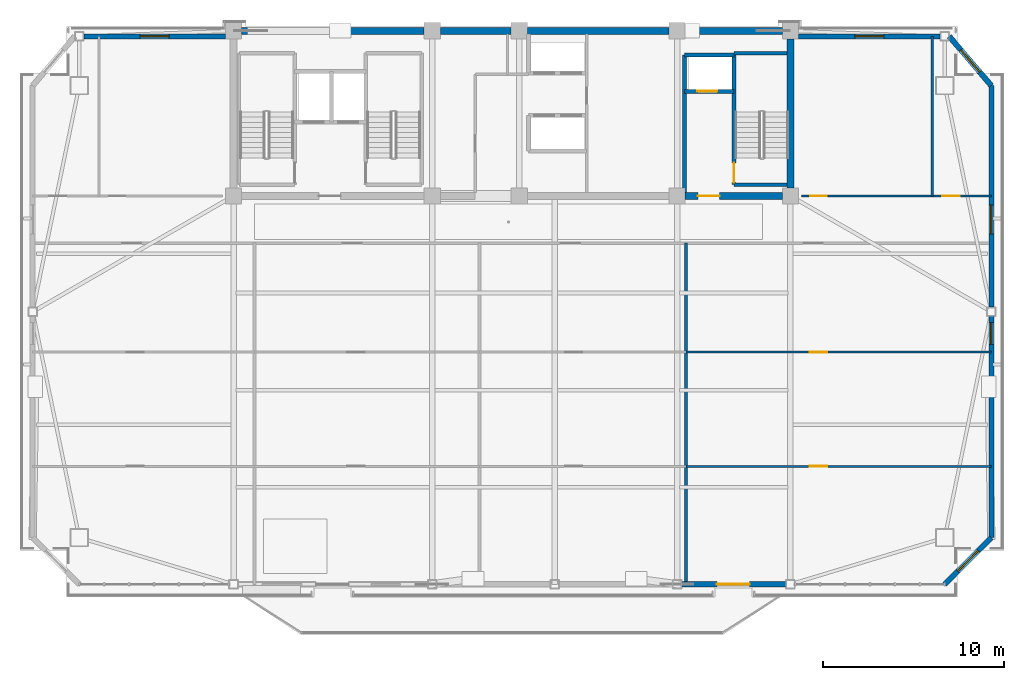
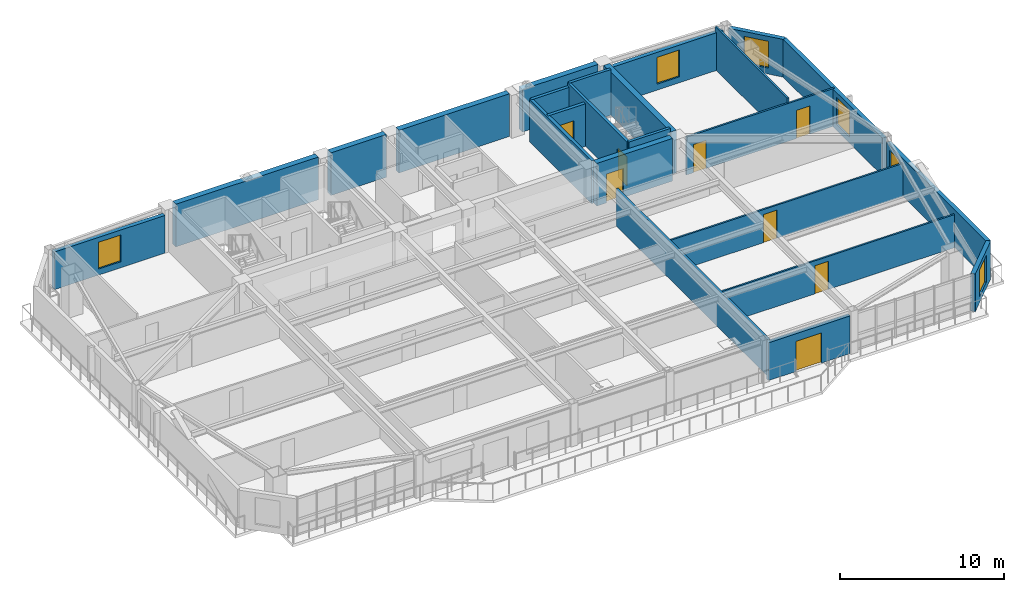
# One storey, part 10 of 18: 24 walls, 8 doors, 6 windows, 14 openings.
"""IFC4 building model written with IfcOpenShell, lengths in metres."""

from ifc_helpers import new_model, si_unit, direction, frame, frame_2d, origin, place, context, subcontext, project, spatial, rectangle, extrude, source, transform, mapped, material, layer, layer_set, type_object, element, fill, save


model = new_model("IFC4")

# Units and contexts
model_context = context("Model", 3, precision=1e-05, world=origin(), true_north=direction((0.0, 1.0)))
body_context = subcontext(model_context, "Body", "Model", "MODEL_VIEW")
ifc_project = project(units=[si_unit("LENGTHUNIT", "METRE"), si_unit("AREAUNIT", "SQUARE_METRE"), si_unit("VOLUMEUNIT", "CUBIC_METRE"), si_unit("PLANEANGLEUNIT", "RADIAN"), si_unit("MASSUNIT", "GRAM", prefix="KILO")], contexts=[model_context])

# Site, building, storey
site_placement = place(None, origin())
site = spatial("IfcSite", under=ifc_project, at=site_placement, CompositionType="ELEMENT")
building_placement = place(site_placement, origin())
building = spatial("IfcBuilding", under=site, at=building_placement, Name="Giltprow Tower", CompositionType="ELEMENT")
storey_placement = place(building_placement, frame((0.0, 0.0, 258.699951171875)))
storey = spatial("IfcBuildingStorey", under=building, at=storey_placement, Name="L66", CompositionType="ELEMENT", Elevation=258.699951171875)

# Wall, opening, window
ifc_material_1 = material(Name="Precast concrete C40", Category="concrete")
ifc_layer_1 = layer(ifc_material_1, 0.300048828125, Name="Precast concrete C40")
ifc_layer_set_1 = layer_set([ifc_layer_1], Name="Precast concrete C40")
wall_type_1 = type_object("IfcWallType", Name="EW-NOTCH-CHAMFER-300", PredefinedType="SOLIDWALL", material=ifc_layer_set_1)
wall_1_placement = place(storey_placement, frame((59.052978515625, 16.044921875, 0.0), z_axis=(0.0, 0.0, 1.0), x_axis=(0.707106781187, 0.707106781187, 0.0)))
wall_1 = element("IfcWall", 1, at=wall_1_placement, inside=storey, type_object=wall_type_1, Name="L66 Corner Notch Wall SE", PredefinedType="SOLIDWALL", context=body_context, shape_type="SweptSolid", body=[
    extrude(rectangle(XDim=3.63330078125, YDim=0.300048828125, at=frame_2d((1.816650390625, 0.0))), origin(), (0.0, 0.0, 1.0), 2.81494140625),
])
opening_1_placement = place(wall_1_placement, frame((1.01708984375, 0.0, 0.449951171875)))
opening_1 = element("IfcOpeningElement", 2, at=opening_1_placement, cuts=wall_1, Name="Opening WN17", PredefinedType="OPENING", context=body_context, shape_type="SweptSolid", body=[
    extrude(rectangle(XDim=1.60009765625, YDim=2.0, at=frame_2d((0.800048828125, 1.0))), frame((0.0, 0.159912109375, 0.0), z_axis=(0.0, -1.0, 0.0), x_axis=(1.0, 0.0, 0.0)), (0.0, 0.0, 1.0), 0.320068359375),
])
ifc_material_2 = material(Name="Insulated glass", Category="glass")
window_type_1 = type_object("IfcWindowType", Name="WN-COR-1600x2000", PartitioningType="SINGLE_PANEL", PredefinedType="WINDOW", material=ifc_material_2)
shared_shape_1 = source(origin(), body_context, "Body", "SweptSolid", [
    extrude(rectangle(XDim=1.60009765625, YDim=2.0, at=frame_2d((0.800048828125, 1.0))), frame((0.0, 0.030029296875, 0.0), z_axis=(0.0, -1.0, 0.0), x_axis=(1.0, 0.0, 0.0)), (0.0, 0.0, 1.0), 0.06005859375),
])
window_1_placement = place(opening_1_placement, origin())
window_1 = element("IfcWindow", 3, at=window_1_placement, inside=storey, type_object=window_type_1, Name="L66 Corner Notch Window SE", OverallHeight=2.0, OverallWidth=1.60009765625, PartitioningType="SINGLE_PANEL", PredefinedType="WINDOW", context=body_context, shape_type="MappedRepresentation", body=[
    mapped(shared_shape_1, transform((0.0, 0.0, 0.0), x_axis=(1.0, 0.0, 0.0), y_axis=(0.0, 1.0, 0.0), z_axis=(0.0, 0.0, 1.0), scale=1.0)),
])
fill(opening_1, window_1)

wall_2_placement = place(storey_placement, frame((61.6220703125, 43.530029296875, 0.0), z_axis=(0.0, 0.0, 1.0), x_axis=(-0.648803559951, 0.760955938669, 0.0)))
wall_2 = element("IfcWall", 4, at=wall_2_placement, inside=storey, type_object=wall_type_1, Name="L66 Corner Notch Wall NE", PredefinedType="SOLIDWALL", context=body_context, shape_type="SweptSolid", body=[
    extrude(rectangle(XDim=3.574462890625, YDim=0.300048828125, at=frame_2d((1.787109375, 0.0))), origin(), (0.0, 0.0, 1.0), 2.81494140625),
])
opening_2_placement = place(wall_2_placement, frame((0.987060546875, 0.0, 0.449951171875)))
opening_2 = element("IfcOpeningElement", 5, at=opening_2_placement, cuts=wall_2, Name="Opening WN17", PredefinedType="OPENING", context=body_context, shape_type="SweptSolid", body=[
    extrude(rectangle(XDim=1.60009765625, YDim=2.0, at=frame_2d((0.800048828125, 1.0))), frame((0.0, 0.159912109375, 0.0), z_axis=(0.0, -1.0, 0.0), x_axis=(1.0, 0.0, 0.0)), (0.0, 0.0, 1.0), 0.320068359375),
])
window_2_placement = place(opening_2_placement, origin())
window_2 = element("IfcWindow", 6, at=window_2_placement, inside=storey, type_object=window_type_1, Name="L66 Corner Notch Window NE", OverallHeight=2.0, OverallWidth=1.60009765625, PartitioningType="SINGLE_PANEL", PredefinedType="WINDOW", context=body_context, shape_type="MappedRepresentation", body=[
    mapped(shared_shape_1, transform((0.0, 0.0, 0.0), x_axis=(1.0, 0.0, 0.0), y_axis=(0.0, 1.0, 0.0), z_axis=(0.0, 0.0, 1.0), scale=1.0)),
])
fill(opening_2, window_2)

# Wall, opening, door
ifc_layer_2 = layer(ifc_material_1, 0.280029296875, Name="Precast concrete C40")
ifc_layer_set_2 = layer_set([ifc_layer_2], Name="Precast concrete C40")
wall_type_2 = type_object("IfcWallType", Name="EW-TOW-BRONZE-280", PredefinedType="SOLIDWALL", material=ifc_layer_set_2)
wall_3_placement = place(storey_placement, frame((44.550048828125, 16.044921875, 0.0), z_axis=(0.0, 0.0, 1.0), x_axis=(1.0, 0.0, 0.0)))
wall_3 = element("IfcWall", 7, at=wall_3_placement, inside=storey, type_object=wall_type_2, Name="L66 South Expressed Frame Wall 5", PredefinedType="SOLIDWALL", context=body_context, shape_type="SweptSolid", body=[
    extrude(rectangle(XDim=5.75, YDim=0.280029296875, at=frame_2d((2.875, 0.0))), origin(), (0.0, 0.0, 1.0), 2.81494140625),
])
opening_3_placement = place(wall_3_placement, frame((1.949951171875, 0.0, 0.0)))
opening_3 = element("IfcOpeningElement", 8, at=opening_3_placement, cuts=wall_3, Name="Opening ED25", PredefinedType="OPENING", context=body_context, shape_type="SweptSolid", body=[
    extrude(rectangle(XDim=1.800048828125, YDim=2.25, at=frame_2d((0.89990234375, 1.125))), frame((0.0, 0.14990234375, 0.0), z_axis=(0.0, -1.0, 0.0), x_axis=(1.0, 0.0, 0.0)), (0.0, 0.0, 1.0), 0.300048828125),
])
ifc_material_3 = material(Name="Anodized bronze and glass", Category="glass")
door_type_1 = type_object("IfcDoorType", Name="DR-BALC-SLIDE-1800", OperationType="SLIDING_TO_LEFT", PredefinedType="DOOR", material=ifc_material_3)
shared_shape_2 = source(origin(), body_context, "Body", "SweptSolid", [
    extrude(rectangle(XDim=1.800048828125, YDim=2.25, at=frame_2d((0.89990234375, 1.125))), frame((0.0, 0.02490234375, 0.0), z_axis=(0.0, -1.0, 0.0), x_axis=(1.0, 0.0, 0.0)), (0.0, 0.0, 1.0), 0.050048828125),
])
door_1_placement = place(opening_3_placement, origin())
door_1 = element("IfcDoor", 9, at=door_1_placement, inside=storey, type_object=door_type_1, Name="L66 Waterfront Balcony Sliding Door 2", OperationType="SLIDING_TO_LEFT", OverallHeight=2.25, OverallWidth=1.800048828125, PredefinedType="DOOR", context=body_context, shape_type="MappedRepresentation", body=[
    mapped(shared_shape_2, transform((0.0, 0.0, 0.0), x_axis=(1.0, 0.0, 0.0), y_axis=(0.0, 1.0, 0.0), z_axis=(0.0, 0.0, 1.0), scale=1.0)),
])
fill(opening_3, door_1)

# Wall, opening, window
wall_4_placement = place(storey_placement, frame((61.6220703125, 18.614013671875, 0.0), z_axis=(0.0, 0.0, 1.0), x_axis=(0.0, 1.0, 0.0)))
wall_4 = element("IfcWall", 10, at=wall_4_placement, inside=storey, type_object=wall_type_2, Name="L66 E Wing Masonry Wall 1", PredefinedType="SOLIDWALL", context=body_context, shape_type="SweptSolid", body=[
    extrude(rectangle(XDim=12.2080078125, YDim=0.280029296875, at=frame_2d((6.10400390625, 0.0))), origin(), (0.0, 0.0, 1.0), 2.81494140625),
])
opening_4_placement = place(wall_4_placement, frame((10.653076171875, 0.0, 0.449951171875)))
opening_4 = element("IfcOpeningElement", 11, at=opening_4_placement, cuts=wall_4, Name="Opening WN11", PredefinedType="OPENING", context=body_context, shape_type="SweptSolid", body=[
    extrude(rectangle(XDim=1.199951171875, YDim=2.0, at=frame_2d((0.60009765625, 1.0))), frame((0.0, 0.14990234375, 0.0), z_axis=(0.0, -1.0, 0.0), x_axis=(1.0, 0.0, 0.0)), (0.0, 0.0, 1.0), 0.300048828125),
])
window_type_2 = type_object("IfcWindowType", Name="WN-LANCET-1200x2000", PartitioningType="SINGLE_PANEL", PredefinedType="WINDOW", material=ifc_material_2)
shared_shape_3 = source(origin(), body_context, "Body", "SweptSolid", [
    extrude(rectangle(XDim=1.199951171875, YDim=2.0, at=frame_2d((0.60009765625, 1.0))), frame((0.0, 0.030029296875, 0.0), z_axis=(0.0, -1.0, 0.0), x_axis=(1.0, 0.0, 0.0)), (0.0, 0.0, 1.0), 0.06005859375),
])
window_3_placement = place(opening_4_placement, origin())
window_3 = element("IfcWindow", 12, at=window_3_placement, inside=storey, type_object=window_type_2, Name="L66 E Wing Window 1-1", OverallHeight=2.0, OverallWidth=1.199951171875, PartitioningType="SINGLE_PANEL", PredefinedType="WINDOW", context=body_context, shape_type="MappedRepresentation", body=[
    mapped(shared_shape_3, transform((0.0, 0.0, 0.0), x_axis=(1.0, 0.0, 0.0), y_axis=(0.0, 1.0, 0.0), z_axis=(0.0, 0.0, 1.0), scale=1.0)),
])
fill(opening_4, window_3)

wall_5_placement = place(storey_placement, frame((61.6220703125, 31.322021484375, 0.0), z_axis=(0.0, 0.0, 1.0), x_axis=(0.0, 1.0, 0.0)))
wall_5 = element("IfcWall", 13, at=wall_5_placement, inside=storey, type_object=wall_type_2, Name="L66 E Wing Masonry Wall 2", PredefinedType="SOLIDWALL", context=body_context, shape_type="SweptSolid", body=[
    extrude(rectangle(XDim=12.2080078125, YDim=0.280029296875, at=frame_2d((6.10400390625, 0.0))), origin(), (0.0, 0.0, 1.0), 2.81494140625),
])
opening_5_placement = place(wall_5_placement, frame((4.032958984375, 0.0, 0.449951171875)))
opening_5 = element("IfcOpeningElement", 14, at=opening_5_placement, cuts=wall_5, Name="Opening WN17", PredefinedType="OPENING", context=body_context, shape_type="SweptSolid", body=[
    extrude(rectangle(XDim=1.60009765625, YDim=2.0, at=frame_2d((0.800048828125, 1.0))), frame((0.0, 0.14990234375, 0.0), z_axis=(0.0, -1.0, 0.0), x_axis=(1.0, 0.0, 0.0)), (0.0, 0.0, 1.0), 0.300048828125),
])
window_4_placement = place(opening_5_placement, origin())
window_4 = element("IfcWindow", 15, at=window_4_placement, inside=storey, type_object=window_type_1, Name="L66 E Wing Window 2-1", OverallHeight=2.0, OverallWidth=1.60009765625, PartitioningType="SINGLE_PANEL", PredefinedType="WINDOW", context=body_context, shape_type="MappedRepresentation", body=[
    mapped(shared_shape_1, transform((0.0, 0.0, 0.0), x_axis=(1.0, 0.0, 0.0), y_axis=(0.0, 1.0, 0.0), z_axis=(0.0, 0.0, 1.0), scale=1.0)),
])
fill(opening_5, window_4)

wall_6_placement = place(storey_placement, frame((11.597900390625, 46.25, 0.0), z_axis=(0.0, 0.0, 1.0), x_axis=(1.0, 0.0, 0.0)))
wall_6 = element("IfcWall", 16, at=wall_6_placement, inside=storey, type_object=wall_type_2, Name="L66 North-West Wing Wall", PredefinedType="SOLIDWALL", context=body_context, shape_type="SweptSolid", body=[
    extrude(rectangle(XDim=7.802001953125, YDim=0.280029296875, at=frame_2d((3.90087890625, 0.0))), origin(), (0.0, 0.0, 1.0), 2.81494140625),
])
opening_6_placement = place(wall_6_placement, frame((3.10107421875, 0.0, 0.449951171875)))
opening_6 = element("IfcOpeningElement", 17, at=opening_6_placement, cuts=wall_6, Name="Opening WN17", PredefinedType="OPENING", context=body_context, shape_type="SweptSolid", body=[
    extrude(rectangle(XDim=1.60009765625, YDim=2.0, at=frame_2d((0.800048828125, 1.0))), frame((0.0, 0.14990234375, 0.0), z_axis=(0.0, -1.0, 0.0), x_axis=(1.0, 0.0, 0.0)), (0.0, 0.0, 1.0), 0.300048828125),
])
window_5_placement = place(opening_6_placement, origin())
window_5 = element("IfcWindow", 18, at=window_5_placement, inside=storey, type_object=window_type_1, Name="L66 North-West Window", OverallHeight=2.0, OverallWidth=1.60009765625, PartitioningType="SINGLE_PANEL", PredefinedType="WINDOW", context=body_context, shape_type="MappedRepresentation", body=[
    mapped(shared_shape_1, transform((0.0, 0.0, 0.0), x_axis=(1.0, 0.0, 0.0), y_axis=(0.0, 1.0, 0.0), z_axis=(0.0, 0.0, 1.0), scale=1.0)),
])
fill(opening_6, window_5)

wall_7_placement = place(storey_placement, frame((51.0, 46.25, 0.0), z_axis=(0.0, 0.0, 1.0), x_axis=(1.0, 0.0, 0.0)))
wall_7 = element("IfcWall", 19, at=wall_7_placement, inside=storey, type_object=wall_type_2, Name="L66 North-East Wing Wall", PredefinedType="SOLIDWALL", context=body_context, shape_type="SweptSolid", body=[
    extrude(rectangle(XDim=7.802978515625, YDim=0.280029296875, at=frame_2d((3.9013671875, 0.0))), origin(), (0.0, 0.0, 1.0), 2.81494140625),
])
opening_7_placement = place(wall_7_placement, frame((3.10107421875, 0.0, 0.449951171875)))
opening_7 = element("IfcOpeningElement", 20, at=opening_7_placement, cuts=wall_7, Name="Opening WN17", PredefinedType="OPENING", context=body_context, shape_type="SweptSolid", body=[
    extrude(rectangle(XDim=1.60009765625, YDim=2.0, at=frame_2d((0.800048828125, 1.0))), frame((0.0, 0.14990234375, 0.0), z_axis=(0.0, -1.0, 0.0), x_axis=(1.0, 0.0, 0.0)), (0.0, 0.0, 1.0), 0.300048828125),
])
window_6_placement = place(opening_7_placement, origin())
window_6 = element("IfcWindow", 21, at=window_6_placement, inside=storey, type_object=window_type_1, Name="L66 North-East Window", OverallHeight=2.0, OverallWidth=1.60009765625, PartitioningType="SINGLE_PANEL", PredefinedType="WINDOW", context=body_context, shape_type="MappedRepresentation", body=[
    mapped(shared_shape_1, transform((0.0, 0.0, 0.0), x_axis=(1.0, 0.0, 0.0), y_axis=(0.0, 1.0, 0.0), z_axis=(0.0, 0.0, 1.0), scale=1.0)),
])
fill(opening_7, window_6)

# Wall
ifc_material_4 = material(Name="Gypsum stud partition", Category="gypsum")
ifc_layer_3 = layer(ifc_material_4, 0.159912109375, Name="Gypsum stud partition")
ifc_layer_set_3 = layer_set([ifc_layer_3], Name="Gypsum stud partition")
wall_type_3 = type_object("IfcWallType", Name="IW-DEMISE-160", PredefinedType="PARTITIONING", material=ifc_layer_set_3)
wall_8_placement = place(storey_placement, frame((44.800048828125, 16.044921875, 0.0), z_axis=(0.0, 0.0, 1.0), x_axis=(0.0, 1.0, 0.0)))
element("IfcWall", 22, at=wall_8_placement, inside=storey, type_object=wall_type_3, Name="L66 Apartment Party Wall 3", PredefinedType="PARTITIONING", context=body_context, shape_type="SweptSolid", body=[
    extrude(rectangle(XDim=18.80517578125, YDim=0.159912109375, at=frame_2d((9.402587890625, 0.0))), origin(), (0.0, 0.0, 1.0), 2.77001953125),
])

# Wall, opening, door
ifc_layer_4 = layer(ifc_material_4, 0.1201171875, Name="Gypsum stud partition")
ifc_layer_set_4 = layer_set([ifc_layer_4], Name="Gypsum stud partition")
wall_type_4 = type_object("IfcWallType", Name="IW-ROOM-120", PredefinedType="PARTITIONING", material=ifc_layer_set_4)
wall_9_placement = place(storey_placement, frame((44.800048828125, 22.5439453125, 0.0), z_axis=(0.0, 0.0, 1.0), x_axis=(1.0, 0.0, 0.0)))
wall_9 = element("IfcWall", 23, at=wall_9_placement, inside=storey, type_object=wall_type_4, Name="L66 Special Split 1", PredefinedType="PARTITIONING", context=body_context, shape_type="SweptSolid", body=[
    extrude(rectangle(XDim=16.822021484375, YDim=0.1201171875, at=frame_2d((8.4111328125, 0.0))), origin(), (0.0, 0.0, 1.0), 2.469970703125),
])
opening_8_placement = place(wall_9_placement, frame((6.81494140625, 0.0, 0.0)))
opening_8 = element("IfcOpeningElement", 24, at=opening_8_placement, cuts=wall_9, Name="Opening ID11", PredefinedType="OPENING", context=body_context, shape_type="SweptSolid", body=[
    extrude(rectangle(XDim=0.949951171875, YDim=2.10009765625, at=frame_2d((0.47509765625, 1.050048828125))), frame((0.0, 0.070068359375, 0.0), z_axis=(0.0, -1.0, 0.0), x_axis=(1.0, 0.0, 0.0)), (0.0, 0.0, 1.0), 0.14013671875),
])
ifc_material_5 = material(Name="Engineered timber", Category="wood")
door_type_2 = type_object("IfcDoorType", Name="DR-ROOM-950", OperationType="SINGLE_SWING_RIGHT", PredefinedType="DOOR", material=ifc_material_5)
shared_shape_4 = source(origin(), body_context, "Body", "SweptSolid", [
    extrude(rectangle(XDim=0.949951171875, YDim=2.10009765625, at=frame_2d((0.47509765625, 1.050048828125))), frame((0.0, 0.02490234375, 0.0), z_axis=(0.0, -1.0, 0.0), x_axis=(1.0, 0.0, 0.0)), (0.0, 0.0, 1.0), 0.050048828125),
])
door_2_placement = place(opening_8_placement, origin())
door_2 = element("IfcDoor", 25, at=door_2_placement, inside=storey, type_object=door_type_2, Name="L66 Artisan Bakery Shop 2 South Door", OperationType="SINGLE_SWING_LEFT", OverallHeight=2.10009765625, OverallWidth=0.949951171875, PredefinedType="DOOR", context=body_context, shape_type="MappedRepresentation", body=[
    mapped(shared_shape_4, transform((0.0, 0.0, 0.0), x_axis=(1.0, 0.0, 0.0), y_axis=(0.0, 1.0, 0.0), z_axis=(0.0, 0.0, 1.0), scale=1.0)),
])
fill(opening_8, door_2)

wall_10_placement = place(storey_placement, frame((44.800048828125, 28.842041015625, 0.0), z_axis=(0.0, 0.0, 1.0), x_axis=(1.0, 0.0, 0.0)))
wall_10 = element("IfcWall", 26, at=wall_10_placement, inside=storey, type_object=wall_type_4, Name="L66 Special Split 2", PredefinedType="PARTITIONING", context=body_context, shape_type="SweptSolid", body=[
    extrude(rectangle(XDim=16.822021484375, YDim=0.1201171875, at=frame_2d((8.4111328125, 0.0))), origin(), (0.0, 0.0, 1.0), 2.469970703125),
])
opening_9_placement = place(wall_10_placement, frame((6.81494140625, 0.0, 0.0)))
opening_9 = element("IfcOpeningElement", 27, at=opening_9_placement, cuts=wall_10, Name="Opening ID11", PredefinedType="OPENING", context=body_context, shape_type="SweptSolid", body=[
    extrude(rectangle(XDim=0.949951171875, YDim=2.10009765625, at=frame_2d((0.47509765625, 1.050048828125))), frame((0.0, 0.070068359375, 0.0), z_axis=(0.0, -1.0, 0.0), x_axis=(1.0, 0.0, 0.0)), (0.0, 0.0, 1.0), 0.14013671875),
])
door_3_placement = place(opening_9_placement, origin())
door_3 = element("IfcDoor", 28, at=door_3_placement, inside=storey, type_object=door_type_2, Name="L66 Artisan Bakery Shop 2 Mid Door", OperationType="SINGLE_SWING_RIGHT", OverallHeight=2.10009765625, OverallWidth=0.949951171875, PredefinedType="DOOR", context=body_context, shape_type="MappedRepresentation", body=[
    mapped(shared_shape_4, transform((0.0, 0.0, 0.0), x_axis=(1.0, 0.0, 0.0), y_axis=(0.0, 1.0, 0.0), z_axis=(0.0, 0.0, 1.0), scale=1.0)),
])
fill(opening_9, door_3)

ifc_material_6 = material(Name="Concrete C40", Category="concrete")
ifc_layer_5 = layer(ifc_material_6, 0.219970703125, Name="Concrete C40")
ifc_layer_set_5 = layer_set([ifc_layer_5], Name="Concrete C40")
wall_type_5 = type_object("IfcWallType", Name="IW-SHAFT-220", PredefinedType="SOLIDWALL", material=ifc_layer_set_5)
wall_11_placement = place(storey_placement, frame((44.719970703125, 43.219970703125, 0.0), z_axis=(0.0, 0.0, 1.0), x_axis=(1.0, 0.0, 0.0)))
wall_11 = element("IfcWall", 29, at=wall_11_placement, inside=storey, type_object=wall_type_5, Name="L66 FFL2 Front Shaft Wall", PredefinedType="SOLIDWALL", context=body_context, shape_type="SweptSolid", body=[
    extrude(rectangle(XDim=2.719970703125, YDim=0.219970703125, at=frame_2d((1.35986328125, 0.0))), origin(), (0.0, 0.0, 1.0), 3.18505859375),
])
opening_10_placement = place(wall_11_placement, frame((0.699951171875, 0.0, 0.0)))
opening_10 = element("IfcOpeningElement", 30, at=opening_10_placement, cuts=wall_11, Name="Opening LD-11", PredefinedType="OPENING", context=body_context, shape_type="SweptSolid", body=[
    extrude(rectangle(XDim=1.10009765625, YDim=2.199951171875, at=frame_2d((0.550048828125, 1.10009765625))), frame((0.0, 0.119873046875, 0.0), z_axis=(0.0, -1.0, 0.0), x_axis=(1.0, 0.0, 0.0)), (0.0, 0.0, 1.0), 0.239990234375),
])
ifc_material_7 = material(Name="Stainless steel", Category="steel")
door_type_3 = type_object("IfcDoorType", Name="DR-LIFT-LD1100", OperationType="SLIDING_TO_LEFT", PredefinedType="DOOR", material=ifc_material_7)
shared_shape_5 = source(origin(), body_context, "Body", "SweptSolid", [
    extrude(rectangle(XDim=1.10009765625, YDim=2.199951171875, at=frame_2d((0.550048828125, 1.10009765625))), frame((0.0, 0.02490234375, 0.0), z_axis=(0.0, -1.0, 0.0), x_axis=(1.0, 0.0, 0.0)), (0.0, 0.0, 1.0), 0.050048828125),
])
door_4_placement = place(opening_10_placement, origin())
door_4 = element("IfcDoor", 31, at=door_4_placement, inside=storey, type_object=door_type_3, Name="L66 FFL2 Landing Door", OperationType="SLIDING_TO_LEFT", OverallHeight=2.199951171875, OverallWidth=1.10009765625, PredefinedType="DOOR", context=body_context, shape_type="MappedRepresentation", body=[
    mapped(shared_shape_5, transform((0.0, 0.0, 0.0), x_axis=(1.0, 0.0, 0.0), y_axis=(0.0, 1.0, 0.0), z_axis=(0.0, 0.0, 1.0), scale=1.0)),
])
fill(opening_10, door_4)

# Walls
wall_12_placement = place(storey_placement, frame((44.719970703125, 45.219970703125, 0.0), z_axis=(0.0, 0.0, 1.0), x_axis=(1.0, 0.0, 0.0)))
element("IfcWall", 32, at=wall_12_placement, inside=storey, type_object=wall_type_5, Name="L66 FFL2 Back Shaft Wall", PredefinedType="SOLIDWALL", context=body_context, shape_type="SweptSolid", body=[
    extrude(rectangle(XDim=2.719970703125, YDim=0.219970703125, at=frame_2d((1.35986328125, 0.0))), origin(), (0.0, 0.0, 1.0), 3.18505859375),
])
wall_13_placement = place(storey_placement, frame((44.719970703125, 37.6298828125, 0.0), z_axis=(0.0, 0.0, 1.0), x_axis=(0.0, 1.0, 0.0)))
element("IfcWall", 33, at=wall_13_placement, inside=storey, type_object=wall_type_5, Name="L66 East Firefighting Lobby West Wall", PredefinedType="SOLIDWALL", context=body_context, shape_type="SweptSolid", body=[
    extrude(rectangle(XDim=7.590087890625, YDim=0.219970703125, at=frame_2d((3.794921875, 0.0))), origin(), (0.0, 0.0, 1.0), 3.18505859375),
])

# Wall, opening, door
ifc_layer_6 = layer(ifc_material_6, 0.199951171875, Name="Concrete C40")
ifc_layer_set_6 = layer_set([ifc_layer_6], Name="Concrete C40")
wall_type_6 = type_object("IfcWallType", Name="IW-STAIR-200", PredefinedType="SOLIDWALL", material=ifc_layer_set_6)
wall_14_placement = place(storey_placement, frame((47.43994140625, 38.070068359375, 0.0), z_axis=(0.0, 0.0, 1.0), x_axis=(0.0, 1.0, 0.0)))
wall_14 = element("IfcWall", 34, at=wall_14_placement, inside=storey, type_object=wall_type_6, Name="L66 Stair ST-3 West Bearing Wall", PredefinedType="SOLIDWALL", context=body_context, shape_type="SweptSolid", body=[
    extrude(rectangle(XDim=7.25, YDim=0.199951171875, at=frame_2d((3.625, 0.0))), origin(), (0.0, 0.0, 1.0), 3.400146484375),
])
opening_11_placement = place(wall_14_placement, frame((0.110107421875, 0.0, 0.0)))
opening_11 = element("IfcOpeningElement", 35, at=opening_11_placement, cuts=wall_14, Name="Opening ID33", PredefinedType="OPENING", context=body_context, shape_type="SweptSolid", body=[
    extrude(rectangle(XDim=1.10009765625, YDim=2.14990234375, at=frame_2d((0.550048828125, 1.074951171875))), frame((0.0, 0.10986328125, 0.0), z_axis=(0.0, -1.0, 0.0), x_axis=(1.0, 0.0, 0.0)), (0.0, 0.0, 1.0), 0.219970703125),
])
ifc_material_8 = material(Name="Steel fire leaf", Category="steel")
door_type_4 = type_object("IfcDoorType", Name="DR-STAIR-1100", OperationType="SINGLE_SWING_LEFT", PredefinedType="DOOR", material=ifc_material_8)
shared_shape_6 = source(origin(), body_context, "Body", "SweptSolid", [
    extrude(rectangle(XDim=1.10009765625, YDim=2.14990234375, at=frame_2d((0.550048828125, 1.074951171875))), frame((0.0, 0.02490234375, 0.0), z_axis=(0.0, -1.0, 0.0), x_axis=(1.0, 0.0, 0.0)), (0.0, 0.0, 1.0), 0.050048828125),
])
door_5_placement = place(opening_11_placement, origin())
door_5 = element("IfcDoor", 36, at=door_5_placement, inside=storey, type_object=door_type_4, Name="L66 Stair ST-3 Fire Door", OperationType="SINGLE_SWING_LEFT", OverallHeight=2.14990234375, OverallWidth=1.10009765625, PredefinedType="DOOR", context=body_context, shape_type="MappedRepresentation", body=[
    mapped(shared_shape_6, transform((0.0, 0.0, 0.0), x_axis=(1.0, 0.0, 0.0), y_axis=(0.0, 1.0, 0.0), z_axis=(0.0, 0.0, 1.0), scale=1.0)),
])
fill(opening_11, door_5)

# Walls
for number, where, z_axis, x_axis, name in (
    (37, (47.43994140625, 45.320068359375, 0.0), (0.0, 0.0, 1.0), (1.0, 0.0, 0.0), "L66 Stair ST-3 North Bearing Wall"),
    (38, (47.43994140625, 38.070068359375, 0.0), (0.0, 0.0, 1.0), (1.0, 0.0, 0.0), "L66 Stair ST-3 South Bearing Wall"),
):
    element("IfcWall", number, at=place(storey_placement, frame(where, z_axis=z_axis, x_axis=x_axis)), inside=storey, type_object=wall_type_6, Name=name, PredefinedType="SOLIDWALL", context=body_context, shape_type="SweptSolid", body=[
        extrude(rectangle(XDim=2.93017578125, YDim=0.199951171875, at=frame_2d((1.465087890625, 0.0))), origin(), (0.0, 0.0, 1.0), 3.400146484375),
    ])

# Wall, openings, doors
ifc_material_9 = material(Name="Concrete C30", Category="concrete")
ifc_layer_7 = layer(ifc_material_9, 0.1298828125, Name="Concrete C30")
ifc_layer_set_7 = layer_set([ifc_layer_7], Name="Concrete C30")
wall_type_7 = type_object("IfcWallType", Name="IW-WET-130", PredefinedType="PARTITIONING", material=ifc_layer_set_7)
wall_15_placement = place(storey_placement, frame((51.14990234375, 37.449951171875, 0.0), z_axis=(0.0, 0.0, 1.0), x_axis=(1.0, 0.0, 0.0)))
wall_15 = element("IfcWall", 39, at=wall_15_placement, inside=storey, type_object=wall_type_7, Name="L66 NE Wing South Wall", PredefinedType="PARTITIONING", context=body_context, shape_type="SweptSolid", body=[
    extrude(rectangle(XDim=10.47216796875, YDim=0.1298828125, at=frame_2d((5.236083984375, 0.0))), origin(), (0.0, 0.0, 1.0), 2.820068359375),
])
opening_12_placement = place(wall_15_placement, frame((0.5, 0.0, 0.0)))
opening_12 = element("IfcOpeningElement", 40, at=opening_12_placement, cuts=wall_15, Name="Opening ID15", PredefinedType="OPENING", context=body_context, shape_type="SweptSolid", body=[
    extrude(rectangle(XDim=0.89990234375, YDim=2.10009765625, at=frame_2d((0.449951171875, 1.050048828125))), frame((0.0, 0.074951171875, 0.0), z_axis=(0.0, -1.0, 0.0), x_axis=(1.0, 0.0, 0.0)), (0.0, 0.0, 1.0), 0.14990234375),
])
opening_13_placement = place(wall_15_placement, frame((7.77001953125, 0.0, 0.0)))
opening_13 = element("IfcOpeningElement", 41, at=opening_13_placement, cuts=wall_15, Name="Opening ID11", PredefinedType="OPENING", context=body_context, shape_type="SweptSolid", body=[
    extrude(rectangle(XDim=0.949951171875, YDim=2.10009765625, at=frame_2d((0.47509765625, 1.050048828125))), frame((0.0, 0.074951171875, 0.0), z_axis=(0.0, -1.0, 0.0), x_axis=(1.0, 0.0, 0.0)), (0.0, 0.0, 1.0), 0.14990234375),
])
door_type_5 = type_object("IfcDoorType", Name="DR-WC-900", OperationType="SINGLE_SWING_LEFT", PredefinedType="DOOR", material=ifc_material_5)
shared_shape_7 = source(origin(), body_context, "Body", "SweptSolid", [
    extrude(rectangle(XDim=0.89990234375, YDim=2.10009765625, at=frame_2d((0.449951171875, 1.050048828125))), frame((0.0, 0.02490234375, 0.0), z_axis=(0.0, -1.0, 0.0), x_axis=(1.0, 0.0, 0.0)), (0.0, 0.0, 1.0), 0.050048828125),
])
door_6_placement = place(opening_12_placement, origin())
door_6 = element("IfcDoor", 42, at=door_6_placement, inside=storey, type_object=door_type_5, Name="L66 East Wing Washroom Door", OperationType="SINGLE_SWING_RIGHT", OverallHeight=2.10009765625, OverallWidth=0.89990234375, PredefinedType="DOOR", context=body_context, shape_type="MappedRepresentation", body=[
    mapped(shared_shape_7, transform((0.0, 0.0, 0.0), x_axis=(1.0, 0.0, 0.0), y_axis=(0.0, 1.0, 0.0), z_axis=(0.0, 0.0, 1.0), scale=1.0)),
])
fill(opening_12, door_6)
door_7_placement = place(opening_13_placement, origin())
door_7 = element("IfcDoor", 43, at=door_7_placement, inside=storey, type_object=door_type_2, Name="L66 Residents Reading Lounge Door", OperationType="SINGLE_SWING_LEFT", OverallHeight=2.10009765625, OverallWidth=0.949951171875, PredefinedType="DOOR", context=body_context, shape_type="MappedRepresentation", body=[
    mapped(shared_shape_4, transform((0.0, 0.0, 0.0), x_axis=(1.0, 0.0, 0.0), y_axis=(0.0, 1.0, 0.0), z_axis=(0.0, 0.0, 1.0), scale=1.0)),
])
fill(opening_13, door_7)

# Walls
wall_16_placement = place(storey_placement, frame((58.3701171875, 37.449951171875, 0.0), z_axis=(0.0, 0.0, 1.0), x_axis=(0.0, 1.0, 0.0)))
element("IfcWall", 44, at=wall_16_placement, inside=storey, type_object=wall_type_7, Name="L66 NE Wing Divider", PredefinedType="PARTITIONING", context=body_context, shape_type="SweptSolid", body=[
    extrude(rectangle(XDim=8.800048828125, YDim=0.1298828125, at=frame_2d((4.39990234375, 0.0))), origin(), (0.0, 0.0, 1.0), 3.18505859375),
])
ifc_material_10 = material(Name="Concrete C45", Category="concrete")
ifc_layer_8 = layer(ifc_material_10, 0.39990234375, Name="Concrete C45")
ifc_layer_set_8 = layer_set([ifc_layer_8], Name="Concrete C45")
wall_type_8 = type_object("IfcWallType", Name="SW-EXT-400-C45", PredefinedType="SHEAR", material=ifc_layer_set_8)
wall_17_placement = place(storey_placement, frame((20.300048828125, 46.550048828125, 0.0), z_axis=(0.0, 0.0, 1.0), x_axis=(1.0, 0.0, 0.0)))
element("IfcWall", 45, at=wall_17_placement, inside=storey, type_object=wall_type_8, Name="L66 North Rear Core Shear Wall 1", PredefinedType="SHEAR", context=body_context, shape_type="SweptSolid", body=[
    extrude(rectangle(XDim=10.050048828125, YDim=0.39990234375, at=frame_2d((5.02490234375, 0.0))), origin(), (0.0, 0.0, 1.0), 3.18505859375),
])
wall_18_placement = place(storey_placement, frame((31.25, 46.550048828125, 0.0), z_axis=(0.0, 0.0, 1.0), x_axis=(1.0, 0.0, 0.0)))
element("IfcWall", 46, at=wall_18_placement, inside=storey, type_object=wall_type_8, Name="L66 North Rear Core Shear Wall 2", PredefinedType="SHEAR", context=body_context, shape_type="SweptSolid", body=[
    extrude(rectangle(XDim=3.89990234375, YDim=0.39990234375, at=frame_2d((1.949951171875, 0.0))), origin(), (0.0, 0.0, 1.0), 3.18505859375),
])
wall_19_placement = place(storey_placement, frame((36.050048828125, 46.550048828125, 0.0), z_axis=(0.0, 0.0, 1.0), x_axis=(1.0, 0.0, 0.0)))
element("IfcWall", 47, at=wall_19_placement, inside=storey, type_object=wall_type_8, Name="L66 North Rear Core Shear Wall 3", PredefinedType="SHEAR", context=body_context, shape_type="SweptSolid", body=[
    extrude(rectangle(XDim=7.800048828125, YDim=0.39990234375, at=frame_2d((3.89990234375, 0.0))), origin(), (0.0, 0.0, 1.0), 3.18505859375),
])
wall_20_placement = place(storey_placement, frame((44.75, 46.550048828125, 0.0), z_axis=(0.0, 0.0, 1.0), x_axis=(1.0, 0.0, 0.0)))
element("IfcWall", 48, at=wall_20_placement, inside=storey, type_object=wall_type_8, Name="L66 North Rear Core Shear Wall 4", PredefinedType="SHEAR", context=body_context, shape_type="SweptSolid", body=[
    extrude(rectangle(XDim=5.35009765625, YDim=0.39990234375, at=frame_2d((2.675048828125, 0.0))), origin(), (0.0, 0.0, 1.0), 3.18505859375),
])

# Wall, opening, door
ifc_layer_9 = layer(ifc_material_10, 0.39990234375, Name="Concrete C45")
ifc_layer_set_9 = layer_set([ifc_layer_9], Name="Concrete C45")
wall_type_9 = type_object("IfcWallType", Name="SW-INT-400-C45", PredefinedType="SHEAR", material=ifc_layer_set_9)
wall_21_placement = place(storey_placement, frame((44.75, 37.449951171875, 0.0), z_axis=(0.0, 0.0, 1.0), x_axis=(1.0, 0.0, 0.0)))
wall_21 = element("IfcWall", 49, at=wall_21_placement, inside=storey, type_object=wall_type_9, Name="L66 South Rear Core Shear Wall East", PredefinedType="SHEAR", context=body_context, shape_type="SweptSolid", body=[
    extrude(rectangle(XDim=5.35009765625, YDim=0.39990234375, at=frame_2d((2.675048828125, 0.0))), origin(), (0.0, 0.0, 1.0), 3.18505859375),
])
opening_14_placement = place(wall_21_placement, frame((0.699951171875, 0.0, 0.0)))
opening_14 = element("IfcOpeningElement", 50, at=opening_14_placement, cuts=wall_21, Name="Opening ID19", PredefinedType="OPENING", context=body_context, shape_type="SweptSolid", body=[
    extrude(rectangle(XDim=1.199951171875, YDim=2.14990234375, at=frame_2d((0.60009765625, 1.074951171875))), frame((0.0, 0.2099609375, 0.0), z_axis=(0.0, -1.0, 0.0), x_axis=(1.0, 0.0, 0.0)), (0.0, 0.0, 1.0), 0.419921875),
])
door_type_6 = type_object("IfcDoorType", Name="DR-FFLOBBY-1200", OperationType="SINGLE_SWING_RIGHT", PredefinedType="DOOR", material=ifc_material_8)
shared_shape_8 = source(origin(), body_context, "Body", "SweptSolid", [
    extrude(rectangle(XDim=1.199951171875, YDim=2.14990234375, at=frame_2d((0.60009765625, 1.074951171875))), frame((0.0, 0.02490234375, 0.0), z_axis=(0.0, -1.0, 0.0), x_axis=(1.0, 0.0, 0.0)), (0.0, 0.0, 1.0), 0.050048828125),
])
door_8_placement = place(opening_14_placement, origin())
door_8 = element("IfcDoor", 51, at=door_8_placement, inside=storey, type_object=door_type_6, Name="L66 East Firefighting Lobby Entry Door", OperationType="SINGLE_SWING_RIGHT", OverallHeight=2.14990234375, OverallWidth=1.199951171875, PredefinedType="DOOR", context=body_context, shape_type="MappedRepresentation", body=[
    mapped(shared_shape_8, transform((0.0, 0.0, 0.0), x_axis=(1.0, 0.0, 0.0), y_axis=(0.0, 1.0, 0.0), z_axis=(0.0, 0.0, 1.0), scale=1.0)),
])
fill(opening_14, door_8)

# Wall
wall_22_placement = place(storey_placement, frame((50.550048828125, 37.89990234375, 0.0), z_axis=(0.0, 0.0, 1.0), x_axis=(0.0, 1.0, 0.0)))
element("IfcWall", 52, at=wall_22_placement, inside=storey, type_object=wall_type_9, Name="L66 E Rear Core Shear Wall", PredefinedType="SHEAR", context=body_context, shape_type="SweptSolid", body=[
    extrude(rectangle(XDim=8.2001953125, YDim=0.39990234375, at=frame_2d((4.10009765625, 0.0))), origin(), (0.0, 0.0, 1.0), 3.18505859375),
])

save(model, "model.ifc")
